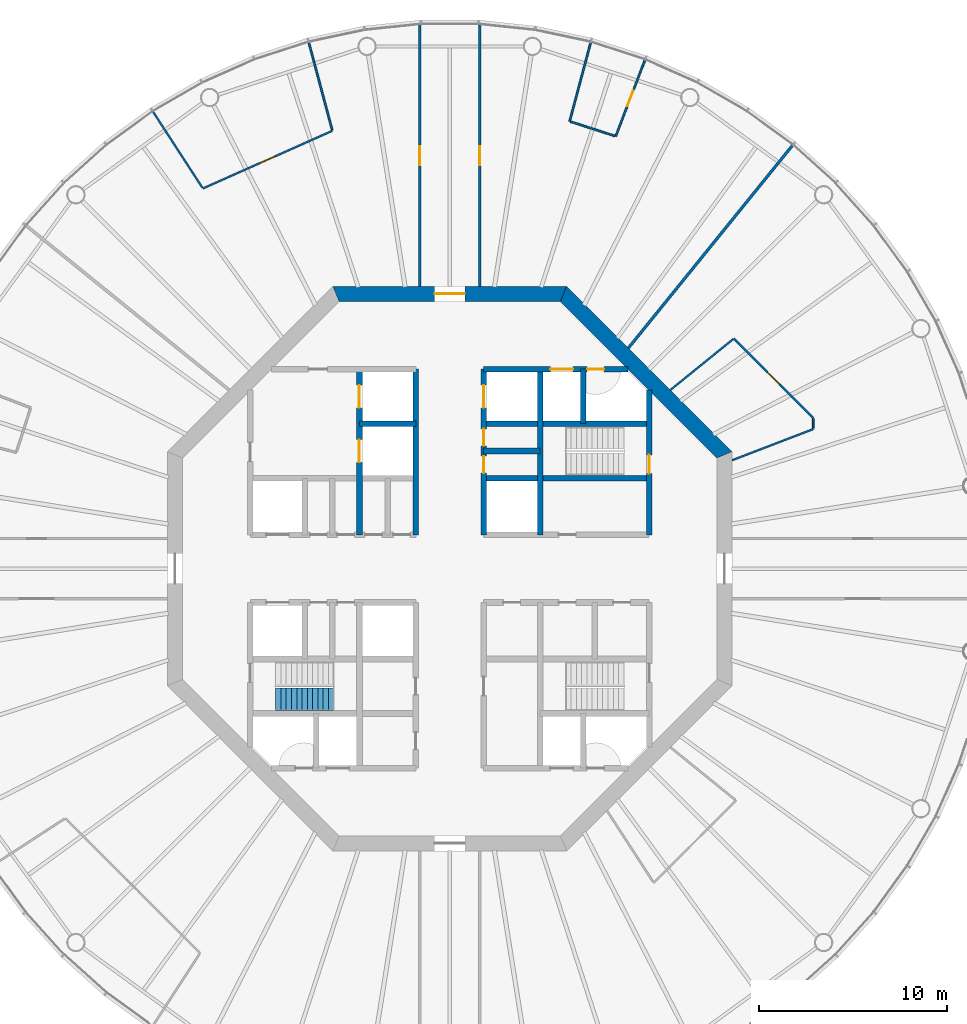
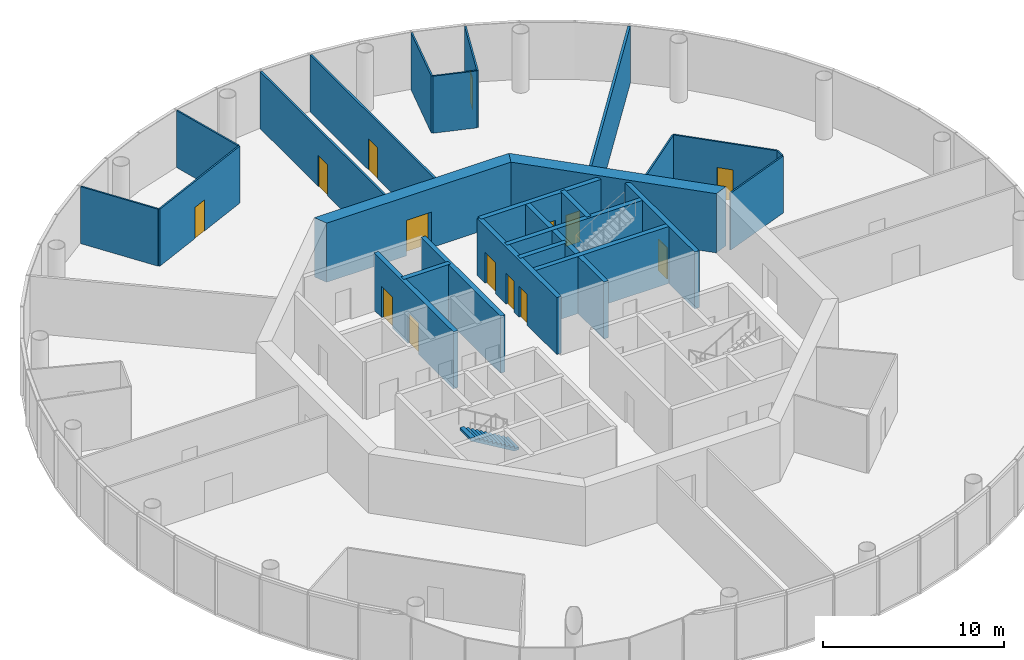
# One storey, part 5 of 13: 26 walls, 14 doors, 1 stair flight, 14 openings, 1 element without a shape of its own.
"""IFC4 building model written with IfcOpenShell, lengths in metres."""

from ifc_helpers import new_model, si_unit, direction, frame, frame_2d, origin, place, context, subcontext, project, spatial, polyline, rectangle, outline, extrude, material, layer, layer_set, type_object, element, fill, aggregate, save


model = new_model("IFC4")

# Units and contexts
model_context = context("Model", 3, precision=1e-05, world=origin(), true_north=direction((0.0, 1.0)))
body_context = subcontext(model_context, "Body", "Model", "MODEL_VIEW")
ifc_project = project(units=[si_unit("LENGTHUNIT", "METRE"), si_unit("AREAUNIT", "SQUARE_METRE"), si_unit("VOLUMEUNIT", "CUBIC_METRE"), si_unit("PLANEANGLEUNIT", "RADIAN"), si_unit("MASSUNIT", "GRAM", prefix="KILO")], contexts=[model_context])

# Site, building, storey
site_placement = place(None, origin())
site = spatial("IfcSite", under=ifc_project, at=site_placement, CompositionType="ELEMENT")
building_placement = place(site_placement, origin())
building = spatial("IfcBuilding", under=site, at=building_placement, Name="Entoto Ring Tower", CompositionType="ELEMENT")
storey_placement = place(building_placement, frame((0.0, 0.0, 278.0)))
storey = spatial("IfcBuildingStorey", under=building, at=storey_placement, Name="L63", CompositionType="ELEMENT", Elevation=278.0)

# Wall, opening, door
ifc_material_1 = material(Name="Concrete C40/50", Category="concrete")
ifc_layer_1 = layer(ifc_material_1, 0.300048828125)
ifc_layer_set_1 = layer_set([ifc_layer_1], Name="Concrete C40/50")
wall_type_1 = type_object("IfcWallType", Name="Core enclosure wall 300 mm reinforced concrete", PredefinedType="SOLIDWALL", material=ifc_layer_set_1)
wall_1_placement = place(storey_placement, frame((100.60009765625, 81.800048828125, 0.0), z_axis=(0.0, 0.0, 1.0), x_axis=(0.0, 1.0, 0.0)))
wall_1 = element("IfcWall", 1, at=wall_1_placement, inside=storey, type_object=wall_type_1, Name="wall-L63-002", PredefinedType="SOLIDWALL", context=body_context, shape_type="SweptSolid", body=[
    extrude(rectangle(XDim=7.681640625, YDim=0.300048828125, at=frame_2d((3.8408203125, 0.0))), origin(), (0.0, 0.0, 1.0), 3.85009765625),
])
opening_1_placement = place(wall_1_placement, frame((3.25, 0.0, 0.0)))
opening_1 = element("IfcOpeningElement", 2, at=opening_1_placement, cuts=wall_1, Name="Opening K-26", PredefinedType="OPENING", context=body_context, shape_type="SweptSolid", body=[
    extrude(rectangle(XDim=1.0, YDim=2.10009765625, at=frame_2d((0.5, 1.050048828125))), frame((0.0, 0.16015625, 0.0), z_axis=(0.0, -1.0, 0.0), x_axis=(1.0, 0.0, 0.0)), (0.0, 0.0, 1.0), 0.320068359375),
])
ifc_material_2 = material(Name="Steel door leaf, fire rated", Category="steel")
ifc_layer_2 = layer(ifc_material_2, 0.050048828125)
ifc_layer_set_2 = layer_set([ifc_layer_2], Name="Steel door leaf, fire rated")
door_type_1 = type_object("IfcDoorType", Name="Fire door FD60 1000 x 2100 single leaf", OperationType="NOTDEFINED", PredefinedType="DOOR", material=ifc_layer_set_2)
door_1_placement = place(opening_1_placement, origin())
door_1 = element("IfcDoor", 3, at=door_1_placement, inside=storey, type_object=door_type_1, Name="Door K-26", OperationType="SINGLE_SWING_LEFT", OverallHeight=2.10009765625, OverallWidth=1.0, PredefinedType="DOOR", context=body_context, shape_type="SweptSolid", body=[
    extrude(rectangle(XDim=1.0, YDim=2.10009765625, at=frame_2d((0.5, 1.050048828125))), frame((0.0, 0.02490234375, 0.0), z_axis=(0.0, -1.0, 0.0), x_axis=(1.0, 0.0, 0.0)), (0.0, 0.0, 1.0), 0.050048828125),
])
fill(opening_1, door_1)

# Walls
wall_2_placement = place(storey_placement, frame((97.10009765625, 87.699951171875, 0.0), z_axis=(0.0, 0.0, 1.0), x_axis=(0.0, 1.0, 0.0)))
element("IfcWall", 4, at=wall_2_placement, inside=storey, type_object=wall_type_1, Name="wall-L63-005", PredefinedType="SOLIDWALL", context=body_context, shape_type="SweptSolid", body=[
    extrude(rectangle(XDim=2.900146484375, YDim=0.300048828125, at=frame_2d((1.4501953125, 0.0))), origin(), (0.0, 0.0, 1.0), 3.85009765625),
])
wall_3_placement = place(storey_placement, frame((94.800048828125, 81.800048828125, 0.0), z_axis=(0.0, 0.0, 1.0), x_axis=(0.0, 1.0, 0.0)))
element("IfcWall", 5, at=wall_3_placement, inside=storey, type_object=wall_type_1, Name="wall-L63-007", PredefinedType="SOLIDWALL", context=body_context, shape_type="SweptSolid", body=[
    extrude(rectangle(XDim=8.800048828125, YDim=0.300048828125, at=frame_2d((4.39990234375, 0.0))), origin(), (0.0, 0.0, 1.0), 3.85009765625),
])

# Wall, openings, doors
wall_4_placement = place(storey_placement, frame((91.800048828125, 81.800048828125, 0.0), z_axis=(0.0, 0.0, 1.0), x_axis=(0.0, 1.0, 0.0)))
wall_4 = element("IfcWall", 6, at=wall_4_placement, inside=storey, type_object=wall_type_1, Name="wall-L63-009", PredefinedType="SOLIDWALL", context=body_context, shape_type="SweptSolid", body=[
    extrude(rectangle(XDim=8.800048828125, YDim=0.300048828125, at=frame_2d((4.39990234375, 0.0))), origin(), (0.0, 0.0, 1.0), 3.85009765625),
])
opening_2_placement = place(wall_4_placement, frame((6.75, 0.0, 0.0)))
opening_2 = element("IfcOpeningElement", 7, at=opening_2_placement, cuts=wall_4, Name="Opening LD", PredefinedType="OPENING", context=body_context, shape_type="SweptSolid", body=[
    extrude(rectangle(XDim=1.199951171875, YDim=2.10009765625, at=frame_2d((0.60009765625, 1.050048828125))), frame((0.0, 0.16015625, 0.0), z_axis=(0.0, -1.0, 0.0), x_axis=(1.0, 0.0, 0.0)), (0.0, 0.0, 1.0), 0.320068359375),
])
opening_3_placement = place(wall_4_placement, frame((3.27490234375, 0.0, 0.0)))
opening_3 = element("IfcOpeningElement", 8, at=opening_3_placement, cuts=wall_4, Name="Opening K-18", PredefinedType="OPENING", context=body_context, shape_type="SweptSolid", body=[
    extrude(rectangle(XDim=0.89990234375, YDim=2.10009765625, at=frame_2d((0.449951171875, 1.050048828125))), frame((0.0, 0.16015625, 0.0), z_axis=(0.0, -1.0, 0.0), x_axis=(1.0, 0.0, 0.0)), (0.0, 0.0, 1.0), 0.320068359375),
])
opening_4_placement = place(wall_4_placement, frame((4.72509765625, 0.0, 0.0)))
opening_4 = element("IfcOpeningElement", 9, at=opening_4_placement, cuts=wall_4, Name="Opening K-19", PredefinedType="OPENING", context=body_context, shape_type="SweptSolid", body=[
    extrude(rectangle(XDim=0.89990234375, YDim=2.10009765625, at=frame_2d((0.449951171875, 1.050048828125))), frame((0.0, 0.16015625, 0.0), z_axis=(0.0, -1.0, 0.0), x_axis=(1.0, 0.0, 0.0)), (0.0, 0.0, 1.0), 0.320068359375),
])
ifc_material_3 = material(Name="Steel door leaf, fire rated", Category="steel")
ifc_layer_3 = layer(ifc_material_3, 0.050048828125)
ifc_layer_set_3 = layer_set([ifc_layer_3], Name="Steel door leaf, fire rated")
door_type_2 = type_object("IfcDoorType", Name="Core door 900 x 2100 single leaf", OperationType="NOTDEFINED", PredefinedType="DOOR", material=ifc_layer_set_3)
door_2_placement = place(opening_3_placement, frame((0.89990234375, 0.0, 0.0), z_axis=(0.0, 0.0, 1.0), x_axis=(-1.0, 0.0, 0.0)))
door_2 = element("IfcDoor", 10, at=door_2_placement, inside=storey, type_object=door_type_2, Name="Door K-18", OperationType="SINGLE_SWING_LEFT", OverallHeight=2.10009765625, OverallWidth=0.89990234375, PredefinedType="DOOR", context=body_context, shape_type="SweptSolid", body=[
    extrude(rectangle(XDim=0.89990234375, YDim=2.10009765625, at=frame_2d((0.449951171875, 1.050048828125))), frame((0.0, 0.02490234375, 0.0), z_axis=(0.0, -1.0, 0.0), x_axis=(1.0, 0.0, 0.0)), (0.0, 0.0, 1.0), 0.050048828125),
])
fill(opening_3, door_2)
door_3_placement = place(opening_4_placement, frame((0.89990234375, 0.0, 0.0), z_axis=(0.0, 0.0, 1.0), x_axis=(-1.0, 0.0, 0.0)))
door_3 = element("IfcDoor", 11, at=door_3_placement, inside=storey, type_object=door_type_2, Name="Door K-19", OperationType="SINGLE_SWING_RIGHT", OverallHeight=2.10009765625, OverallWidth=0.89990234375, PredefinedType="DOOR", context=body_context, shape_type="SweptSolid", body=[
    extrude(rectangle(XDim=0.89990234375, YDim=2.10009765625, at=frame_2d((0.449951171875, 1.050048828125))), frame((0.0, 0.02490234375, 0.0), z_axis=(0.0, -1.0, 0.0), x_axis=(1.0, 0.0, 0.0)), (0.0, 0.0, 1.0), 0.050048828125),
])
fill(opening_4, door_3)
ifc_material_4 = material(Name="Steel and glass door leaf", Category="steel")
ifc_layer_4 = layer(ifc_material_4, 0.050048828125)
ifc_layer_set_4 = layer_set([ifc_layer_4], Name="Steel and glass door leaf")
door_type_3 = type_object("IfcDoorType", Name="Landing door 1200 x 2100 sliding", OperationType="DOUBLE_DOOR_SLIDING", PredefinedType="DOOR", material=ifc_layer_set_4)
door_4_placement = place(opening_2_placement, origin())
door_4 = element("IfcDoor", 12, at=door_4_placement, inside=storey, type_object=door_type_3, Name="Landing door SH3", OperationType="SLIDING_TO_RIGHT", OverallHeight=2.10009765625, OverallWidth=1.199951171875, PredefinedType="DOOR", context=body_context, shape_type="SweptSolid", body=[
    extrude(rectangle(XDim=1.199951171875, YDim=2.10009765625, at=frame_2d((0.60009765625, 1.050048828125))), frame((0.0, 0.02490234375, 0.0), z_axis=(0.0, -1.0, 0.0), x_axis=(1.0, 0.0, 0.0)), (0.0, 0.0, 1.0), 0.050048828125),
])
fill(opening_2, door_4)

# Wall
wall_5_placement = place(storey_placement, frame((88.199951171875, 81.800048828125, 0.0), z_axis=(0.0, 0.0, 1.0), x_axis=(0.0, 1.0, 0.0)))
element("IfcWall", 13, at=wall_5_placement, inside=storey, type_object=wall_type_1, Name="wall-L63-011", PredefinedType="SOLIDWALL", context=body_context, shape_type="SweptSolid", body=[
    extrude(rectangle(XDim=8.800048828125, YDim=0.300048828125, at=frame_2d((4.39990234375, 0.0))), origin(), (0.0, 0.0, 1.0), 3.85009765625),
])

# Wall, openings, doors
wall_6_placement = place(storey_placement, frame((85.199951171875, 81.800048828125, 0.0), z_axis=(0.0, 0.0, 1.0), x_axis=(0.0, 1.0, 0.0)))
wall_6 = element("IfcWall", 14, at=wall_6_placement, inside=storey, type_object=wall_type_1, Name="wall-L63-014", PredefinedType="SOLIDWALL", context=body_context, shape_type="SweptSolid", body=[
    extrude(rectangle(XDim=8.800048828125, YDim=0.300048828125, at=frame_2d((4.39990234375, 0.0))), origin(), (0.0, 0.0, 1.0), 3.85009765625),
])
opening_5_placement = place(wall_6_placement, frame((3.85009765625, 0.0, 0.0)))
opening_5 = element("IfcOpeningElement", 15, at=opening_5_placement, cuts=wall_6, Name="Opening LD", PredefinedType="OPENING", context=body_context, shape_type="SweptSolid", body=[
    extrude(rectangle(XDim=1.199951171875, YDim=2.10009765625, at=frame_2d((0.60009765625, 1.050048828125))), frame((0.0, 0.16015625, 0.0), z_axis=(0.0, -1.0, 0.0), x_axis=(1.0, 0.0, 0.0)), (0.0, 0.0, 1.0), 0.320068359375),
])
opening_6_placement = place(wall_6_placement, frame((6.75, 0.0, 0.0)))
opening_6 = element("IfcOpeningElement", 16, at=opening_6_placement, cuts=wall_6, Name="Opening LD", PredefinedType="OPENING", context=body_context, shape_type="SweptSolid", body=[
    extrude(rectangle(XDim=1.199951171875, YDim=2.10009765625, at=frame_2d((0.60009765625, 1.050048828125))), frame((0.0, 0.16015625, 0.0), z_axis=(0.0, -1.0, 0.0), x_axis=(1.0, 0.0, 0.0)), (0.0, 0.0, 1.0), 0.320068359375),
])
door_5_placement = place(opening_5_placement, origin())
door_5 = element("IfcDoor", 17, at=door_5_placement, inside=storey, type_object=door_type_3, Name="Landing door FF1", OperationType="SLIDING_TO_RIGHT", OverallHeight=2.10009765625, OverallWidth=1.199951171875, PredefinedType="DOOR", context=body_context, shape_type="SweptSolid", body=[
    extrude(rectangle(XDim=1.199951171875, YDim=2.10009765625, at=frame_2d((0.60009765625, 1.050048828125))), frame((0.0, 0.02490234375, 0.0), z_axis=(0.0, -1.0, 0.0), x_axis=(1.0, 0.0, 0.0)), (0.0, 0.0, 1.0), 0.050048828125),
])
fill(opening_5, door_5)
door_6_placement = place(opening_6_placement, origin())
door_6 = element("IfcDoor", 18, at=door_6_placement, inside=storey, type_object=door_type_3, Name="Landing door FF2", OperationType="SLIDING_TO_RIGHT", OverallHeight=2.10009765625, OverallWidth=1.199951171875, PredefinedType="DOOR", context=body_context, shape_type="SweptSolid", body=[
    extrude(rectangle(XDim=1.199951171875, YDim=2.10009765625, at=frame_2d((0.60009765625, 1.050048828125))), frame((0.0, 0.02490234375, 0.0), z_axis=(0.0, -1.0, 0.0), x_axis=(1.0, 0.0, 0.0)), (0.0, 0.0, 1.0), 0.050048828125),
])
fill(opening_6, door_6)

# Walls
wall_7_placement = place(storey_placement, frame((91.800048828125, 84.800048828125, 0.0), z_axis=(0.0, 0.0, 1.0), x_axis=(1.0, 0.0, 0.0)))
element("IfcWall", 19, at=wall_7_placement, inside=storey, type_object=wall_type_1, Name="wall-L63-033", PredefinedType="SOLIDWALL", context=body_context, shape_type="SweptSolid", body=[
    extrude(rectangle(XDim=8.800048828125, YDim=0.300048828125, at=frame_2d((4.39990234375, 0.0))), origin(), (0.0, 0.0, 1.0), 3.85009765625),
])
for number, where, z_axis, x_axis, name in (
    (20, (91.800048828125, 86.25, 0.0), (0.0, 0.0, 1.0), (1.0, 0.0, 0.0), "wall-L63-034"),
    (21, (85.199951171875, 87.699951171875, 0.0), (0.0, 0.0, 1.0), (1.0, 0.0, 0.0), "wall-L63-035"),
):
    element("IfcWall", number, at=place(storey_placement, frame(where, z_axis=z_axis, x_axis=x_axis)), inside=storey, type_object=wall_type_1, Name=name, PredefinedType="SOLIDWALL", context=body_context, shape_type="SweptSolid", body=[
        extrude(rectangle(XDim=3.0, YDim=0.300048828125, at=frame_2d((1.5, 0.0))), origin(), (0.0, 0.0, 1.0), 3.85009765625),
    ])
wall_8_placement = place(storey_placement, frame((91.800048828125, 87.699951171875, 0.0), z_axis=(0.0, 0.0, 1.0), x_axis=(1.0, 0.0, 0.0)))
element("IfcWall", 22, at=wall_8_placement, inside=storey, type_object=wall_type_1, Name="wall-L63-036", PredefinedType="SOLIDWALL", context=body_context, shape_type="SweptSolid", body=[
    extrude(rectangle(XDim=8.800048828125, YDim=0.300048828125, at=frame_2d((4.39990234375, 0.0))), origin(), (0.0, 0.0, 1.0), 3.85009765625),
])

# Wall, openings, doors
wall_9_placement = place(storey_placement, frame((91.800048828125, 90.60009765625, 0.0), z_axis=(0.0, 0.0, 1.0), x_axis=(1.0, 0.0, 0.0)))
wall_9 = element("IfcWall", 23, at=wall_9_placement, inside=storey, type_object=wall_type_1, Name="wall-L63-038", PredefinedType="SOLIDWALL", context=body_context, shape_type="SweptSolid", body=[
    extrude(rectangle(XDim=7.681640625, YDim=0.300048828125, at=frame_2d((3.8408203125, 0.0))), origin(), (0.0, 0.0, 1.0), 3.85009765625),
])
opening_7_placement = place(wall_9_placement, frame((3.550048828125, 0.0, 0.0)))
opening_7 = element("IfcOpeningElement", 24, at=opening_7_placement, cuts=wall_9, Name="Opening LD", PredefinedType="OPENING", context=body_context, shape_type="SweptSolid", body=[
    extrude(rectangle(XDim=1.199951171875, YDim=2.10009765625, at=frame_2d((0.60009765625, 1.050048828125))), frame((0.0, 0.16015625, 0.0), z_axis=(0.0, -1.0, 0.0), x_axis=(1.0, 0.0, 0.0)), (0.0, 0.0, 1.0), 0.320068359375),
])
opening_8_placement = place(wall_9_placement, frame((5.5, 0.0, 0.0)))
opening_8 = element("IfcOpeningElement", 25, at=opening_8_placement, cuts=wall_9, Name="Opening K-83", PredefinedType="OPENING", context=body_context, shape_type="SweptSolid", body=[
    extrude(rectangle(XDim=0.89990234375, YDim=2.10009765625, at=frame_2d((0.449951171875, 1.050048828125))), frame((0.0, 0.16015625, 0.0), z_axis=(0.0, -1.0, 0.0), x_axis=(1.0, 0.0, 0.0)), (0.0, 0.0, 1.0), 0.320068359375),
])
door_7_placement = place(opening_7_placement, origin())
door_7 = element("IfcDoor", 26, at=door_7_placement, inside=storey, type_object=door_type_3, Name="Landing door LB1-HR", OperationType="SLIDING_TO_RIGHT", OverallHeight=2.10009765625, OverallWidth=1.199951171875, PredefinedType="DOOR", context=body_context, shape_type="SweptSolid", body=[
    extrude(rectangle(XDim=1.199951171875, YDim=2.10009765625, at=frame_2d((0.60009765625, 1.050048828125))), frame((0.0, 0.02490234375, 0.0), z_axis=(0.0, -1.0, 0.0), x_axis=(1.0, 0.0, 0.0)), (0.0, 0.0, 1.0), 0.050048828125),
])
fill(opening_7, door_7)
ifc_material_5 = material(Name="Steel door leaf, fire rated", Category="steel")
ifc_layer_5 = layer(ifc_material_5, 0.050048828125)
ifc_layer_set_5 = layer_set([ifc_layer_5], Name="Steel door leaf, fire rated")
door_type_4 = type_object("IfcDoorType", Name="Riser door FD60 900 x 2100 single leaf", OperationType="NOTDEFINED", PredefinedType="DOOR", material=ifc_layer_set_5)
door_8_placement = place(opening_8_placement, frame((0.89990234375, 0.0, 0.0), z_axis=(0.0, 0.0, 1.0), x_axis=(-1.0, 0.0, 0.0)))
door_8 = element("IfcDoor", 27, at=door_8_placement, inside=storey, type_object=door_type_4, Name="Door K-83", OperationType="SINGLE_SWING_RIGHT", OverallHeight=2.10009765625, OverallWidth=0.89990234375, PredefinedType="DOOR", context=body_context, shape_type="SweptSolid", body=[
    extrude(rectangle(XDim=0.89990234375, YDim=2.10009765625, at=frame_2d((0.449951171875, 1.050048828125))), frame((0.0, 0.02490234375, 0.0), z_axis=(0.0, -1.0, 0.0), x_axis=(1.0, 0.0, 0.0)), (0.0, 0.0, 1.0), 0.050048828125),
])
fill(opening_8, door_8)

# Wall
ifc_material_6 = material(Name="Concrete C40/50", Category="concrete")
ifc_layer_6 = layer(ifc_material_6, 0.800048828125)
ifc_layer_set_6 = layer_set([ifc_layer_6], Name="Concrete C40/50")
wall_type_2 = type_object("IfcWallType", Name="Core shear wall 800 mm reinforced concrete C40/50", PredefinedType="SHEAR", material=ifc_layer_set_6)
wall_10_placement = place(storey_placement, frame((104.60009765625, 86.047607421875, 0.0), z_axis=(0.0, 0.0, 1.0), x_axis=(-0.707106781187, 0.707106781187, 0.0)))
element("IfcWall", 28, at=wall_10_placement, inside=storey, type_object=wall_type_2, Name="wall-L63-core-1", PredefinedType="SHEAR", context=body_context, shape_type="SweptSolid", body=[
    extrude(outline(polyline([(-0.165771484375, -0.39990234375), (12.2607421875, -0.39990234375), (11.92919921875, 0.39990234375), (0.165771484375, 0.39990234375), (-0.165771484375, -0.39990234375)])), origin(), (0.0, 0.0, 1.0), 4.0),
])

# Wall, opening, door
wall_11_placement = place(storey_placement, frame((96.047607421875, 94.60009765625, 0.0), z_axis=(0.0, 0.0, 1.0), x_axis=(-1.0, 0.0, 0.0)))
wall_11 = element("IfcWall", 29, at=wall_11_placement, inside=storey, type_object=wall_type_2, Name="wall-L63-core-2", PredefinedType="SHEAR", context=body_context, shape_type="SweptSolid", body=[
    extrude(outline(polyline([(-0.165771484375, -0.39990234375), (12.260986328125, -0.39990234375), (11.929443359375, 0.39990234375), (0.165771484375, 0.39990234375), (-0.165771484375, -0.39990234375)])), origin(), (0.0, 0.0, 1.0), 4.0),
])
opening_9_placement = place(wall_11_placement, frame((5.24755859375, 0.0, 0.0)))
opening_9 = element("IfcOpeningElement", 30, at=opening_9_placement, cuts=wall_11, Name="Opening K-02", PredefinedType="OPENING", context=body_context, shape_type="SweptSolid", body=[
    extrude(rectangle(XDim=1.60009765625, YDim=2.39990234375, at=frame_2d((0.800048828125, 1.199951171875))), frame((0.0, 0.41015625, 0.0), z_axis=(0.0, -1.0, 0.0), x_axis=(1.0, 0.0, 0.0)), (0.0, 0.0, 1.0), 0.820068359375),
])
ifc_material_7 = material(Name="Steel door leaf, fire rated", Category="steel")
ifc_layer_7 = layer(ifc_material_7, 0.050048828125)
ifc_layer_set_7 = layer_set([ifc_layer_7], Name="Steel door leaf, fire rated")
door_type_5 = type_object("IfcDoorType", Name="Entrance door FD60 1600 x 2400 double leaf", OperationType="DOUBLE_DOOR_SINGLE_SWING", PredefinedType="DOOR", material=ifc_layer_set_7)
door_9_placement = place(opening_9_placement, origin())
door_9 = element("IfcDoor", 31, at=door_9_placement, inside=storey, type_object=door_type_5, Name="Entrance door K-02", OperationType="DOUBLE_DOOR_SINGLE_SWING", OverallHeight=2.39990234375, OverallWidth=1.60009765625, PredefinedType="DOOR", context=body_context, shape_type="SweptSolid", body=[
    extrude(rectangle(XDim=1.60009765625, YDim=2.39990234375, at=frame_2d((0.800048828125, 1.199951171875))), frame((0.0, 0.02490234375, 0.0), z_axis=(0.0, -1.0, 0.0), x_axis=(1.0, 0.0, 0.0)), (0.0, 0.0, 1.0), 0.050048828125),
])
fill(opening_9, door_9)

ifc_material_8 = material(Name="Fire-resisting plasterboard on steel studs", Category="steel")
ifc_layer_8 = layer(ifc_material_8, 0.125)
ifc_layer_set_8 = layer_set([ifc_layer_8], Name="Fire-resisting plasterboard on steel studs")
wall_type_3 = type_object("IfcWallType", Name="Corridor wall 125 mm one-hour plasterboard on steel studs", PredefinedType="PARTITIONING", material=ifc_layer_set_8)
wall_12_placement = place(storey_placement, frame((88.39990234375, 95.0, 0.0), z_axis=(0.0, 0.0, 1.0), x_axis=(0.0, 1.0, 0.0)))
wall_12 = element("IfcWall", 32, at=wall_12_placement, inside=storey, type_object=wall_type_3, Name="partition-L63-004", PredefinedType="PARTITIONING", context=body_context, shape_type="SweptSolid", body=[
    extrude(rectangle(XDim=13.891357421875, YDim=0.125, at=frame_2d((6.94580078125, 0.0))), origin(), (0.0, 0.0, 1.0), 3.85009765625),
])
opening_10_placement = place(wall_12_placement, frame((6.44580078125, 0.0, 0.0)))
opening_10 = element("IfcOpeningElement", 33, at=opening_10_placement, cuts=wall_12, Name="Opening A28-D05", PredefinedType="OPENING", context=body_context, shape_type="SweptSolid", body=[
    extrude(rectangle(XDim=1.0, YDim=2.10009765625, at=frame_2d((0.5, 1.050048828125))), frame((0.0, 0.072509765625, 0.0), z_axis=(0.0, -1.0, 0.0), x_axis=(1.0, 0.0, 0.0)), (0.0, 0.0, 1.0), 0.14501953125),
])
ifc_material_9 = material(Name="Fire-resisting timber door set", Category="wood")
door_type_6 = type_object("IfcDoorType", Name="Door 1000 x 2100 single leaf FD30S fire door", OperationType="NOTDEFINED", PredefinedType="DOOR", material=ifc_material_9)
door_10_placement = place(opening_10_placement, origin())
door_10 = element("IfcDoor", 34, at=door_10_placement, inside=storey, type_object=door_type_6, Name="Door A28-D05", OperationType="SINGLE_SWING_RIGHT", OverallHeight=2.10009765625, OverallWidth=1.0, PredefinedType="DOOR", context=body_context, shape_type="SweptSolid", body=[
    extrude(rectangle(XDim=1.0, YDim=2.10009765625, at=frame_2d((0.5, 1.050048828125))), frame((0.0, 0.02490234375, 0.0), z_axis=(0.0, -1.0, 0.0), x_axis=(1.0, 0.0, 0.0)), (0.0, 0.0, 1.0), 0.050048828125),
])
fill(opening_10, door_10)

wall_13_placement = place(storey_placement, frame((91.60009765625, 95.0, 0.0), z_axis=(0.0, 0.0, 1.0), x_axis=(0.0, 1.0, 0.0)))
wall_13 = element("IfcWall", 35, at=wall_13_placement, inside=storey, type_object=wall_type_3, Name="partition-L63-006", PredefinedType="PARTITIONING", context=body_context, shape_type="SweptSolid", body=[
    extrude(rectangle(XDim=13.891357421875, YDim=0.125, at=frame_2d((6.94580078125, 0.0))), origin(), (0.0, 0.0, 1.0), 3.85009765625),
])
opening_11_placement = place(wall_13_placement, frame((6.44580078125, 0.0, 0.0)))
opening_11 = element("IfcOpeningElement", 36, at=opening_11_placement, cuts=wall_13, Name="Opening A28-D03", PredefinedType="OPENING", context=body_context, shape_type="SweptSolid", body=[
    extrude(rectangle(XDim=1.0, YDim=2.10009765625, at=frame_2d((0.5, 1.050048828125))), frame((0.0, 0.072509765625, 0.0), z_axis=(0.0, -1.0, 0.0), x_axis=(1.0, 0.0, 0.0)), (0.0, 0.0, 1.0), 0.14501953125),
])
door_11_placement = place(opening_11_placement, frame((1.0, 0.0, 0.0), z_axis=(0.0, 0.0, 1.0), x_axis=(-1.0, 0.0, 0.0)))
door_11 = element("IfcDoor", 37, at=door_11_placement, inside=storey, type_object=door_type_6, Name="Door A28-D03", OperationType="SINGLE_SWING_LEFT", OverallHeight=2.10009765625, OverallWidth=1.0, PredefinedType="DOOR", context=body_context, shape_type="SweptSolid", body=[
    extrude(rectangle(XDim=1.0, YDim=2.10009765625, at=frame_2d((0.5, 1.050048828125))), frame((0.0, 0.02490234375, 0.0), z_axis=(0.0, -1.0, 0.0), x_axis=(1.0, 0.0, 0.0)), (0.0, 0.0, 1.0), 0.050048828125),
])
fill(opening_11, door_11)

ifc_material_10 = material(Name="Plasterboard on steel studs", Category="steel")
ifc_layer_9 = layer(ifc_material_10, 0.10009765625)
ifc_layer_set_9 = layer_set([ifc_layer_9], Name="Plasterboard on steel studs")
wall_type_4 = type_object("IfcWallType", Name="Partition 100 mm plasterboard on steel studs", PredefinedType="PARTITIONING", material=ifc_layer_set_9)
wall_14_placement = place(storey_placement, frame((76.879638671875, 100.20361328125, 0.0), z_axis=(0.0, 0.0, 1.0), x_axis=(0.913537506141, 0.406754501972, 0.0)))
wall_14 = element("IfcWall", 38, at=wall_14_placement, inside=storey, type_object=wall_type_4, Name="partition-L63-012", PredefinedType="PARTITIONING", context=body_context, shape_type="SweptSolid", body=[
    extrude(rectangle(XDim=7.536865234375, YDim=0.10009765625, at=frame_2d((3.7685546875, 0.0))), origin(), (0.0, 0.0, 1.0), 3.85009765625),
])
opening_12_placement = place(wall_14_placement, frame((3.318603515625, 0.0, 0.0)))
opening_12 = element("IfcOpeningElement", 39, at=opening_12_placement, cuts=wall_14, Name="Opening A28-D06", PredefinedType="OPENING", context=body_context, shape_type="SweptSolid", body=[
    extrude(rectangle(XDim=0.89990234375, YDim=2.10009765625, at=frame_2d((0.449951171875, 1.050048828125))), frame((0.0, 0.06005859375, 0.0), z_axis=(0.0, -1.0, 0.0), x_axis=(1.0, 0.0, 0.0)), (0.0, 0.0, 1.0), 0.1201171875),
])
ifc_material_11 = material(Name="Veneered timber door leaf in timber frame", Category="wood")
door_type_7 = type_object("IfcDoorType", Name="Door 900 x 2100 single leaf timber veneer", OperationType="NOTDEFINED", PredefinedType="DOOR", material=ifc_material_11)
door_12_placement = place(opening_12_placement, origin())
door_12 = element("IfcDoor", 40, at=door_12_placement, inside=storey, type_object=door_type_7, Name="Door A28-D06", OperationType="SINGLE_SWING_LEFT", OverallHeight=2.10009765625, OverallWidth=0.89990234375, PredefinedType="DOOR", context=body_context, shape_type="SweptSolid", body=[
    extrude(rectangle(XDim=0.89990234375, YDim=2.10009765625, at=frame_2d((0.449951171875, 1.050048828125))), frame((0.0, 0.02490234375, 0.0), z_axis=(0.0, -1.0, 0.0), x_axis=(1.0, 0.0, 0.0)), (0.0, 0.0, 1.0), 0.050048828125),
])
fill(opening_12, door_12)

wall_15_placement = place(storey_placement, frame((109.320068359375, 88.002685546875, 0.0), z_axis=(0.0, 0.0, 1.0), x_axis=(-0.707127221639, 0.707086340144, 0.0)))
wall_15 = element("IfcWall", 41, at=wall_15_placement, inside=storey, type_object=wall_type_4, Name="partition-L63-014", PredefinedType="PARTITIONING", context=body_context, shape_type="SweptSolid", body=[
    extrude(rectangle(XDim=5.971923828125, YDim=0.10009765625, at=frame_2d((2.98583984375, 0.0))), origin(), (0.0, 0.0, 1.0), 3.85009765625),
])
opening_13_placement = place(wall_15_placement, frame((2.535888671875, 0.0, 0.0)))
opening_13 = element("IfcOpeningElement", 42, at=opening_13_placement, cuts=wall_15, Name="Opening A28-D02", PredefinedType="OPENING", context=body_context, shape_type="SweptSolid", body=[
    extrude(rectangle(XDim=0.89990234375, YDim=2.10009765625, at=frame_2d((0.449951171875, 1.050048828125))), frame((0.0, 0.06005859375, 0.0), z_axis=(0.0, -1.0, 0.0), x_axis=(1.0, 0.0, 0.0)), (0.0, 0.0, 1.0), 0.1201171875),
])
door_13_placement = place(opening_13_placement, origin())
door_13 = element("IfcDoor", 43, at=door_13_placement, inside=storey, type_object=door_type_7, Name="Door A28-D02", OperationType="SINGLE_SWING_RIGHT", OverallHeight=2.10009765625, OverallWidth=0.89990234375, PredefinedType="DOOR", context=body_context, shape_type="SweptSolid", body=[
    extrude(rectangle(XDim=0.89990234375, YDim=2.10009765625, at=frame_2d((0.449951171875, 1.050048828125))), frame((0.0, 0.02490234375, 0.0), z_axis=(0.0, -1.0, 0.0), x_axis=(1.0, 0.0, 0.0)), (0.0, 0.0, 1.0), 0.050048828125),
])
fill(opening_13, door_13)

# Walls
wall_16_placement = place(storey_placement, frame((76.852783203125, 100.244873046875, 0.0), z_axis=(0.0, 0.0, 1.0), x_axis=(-0.54466119011, 0.838656179842, 0.0)))
element("IfcWall", 44, at=wall_16_placement, inside=storey, type_object=wall_type_4, Name="partition-L63-017", PredefinedType="PARTITIONING", context=body_context, shape_type="SweptSolid", body=[
    extrude(rectangle(XDim=4.80078125, YDim=0.10009765625, at=frame_2d((2.400390625, 0.0))), origin(), (0.0, 0.0, 1.0), 3.85009765625),
])
wall_17_placement = place(storey_placement, frame((83.752197265625, 103.31689453125, 0.0), z_axis=(0.0, 0.0, 1.0), x_axis=(-0.25881149994, 0.965927847978, 0.0)))
element("IfcWall", 45, at=wall_17_placement, inside=storey, type_object=wall_type_4, Name="partition-L63-018", PredefinedType="PARTITIONING", context=body_context, shape_type="SweptSolid", body=[
    extrude(rectangle(XDim=4.800537109375, YDim=0.10009765625, at=frame_2d((2.400390625, 0.0))), origin(), (0.0, 0.0, 1.0), 3.85009765625),
])
wall_18_placement = place(storey_placement, frame((105.0, 85.758056640625, 0.0), z_axis=(0.0, 0.0, 1.0), x_axis=(0.933588794902, 0.358346148345, 0.0)))
element("IfcWall", 46, at=wall_18_placement, inside=storey, type_object=wall_type_4, Name="partition-L63-019", PredefinedType="PARTITIONING", context=body_context, shape_type="SweptSolid", body=[
    extrude(rectangle(XDim=4.62744140625, YDim=0.10009765625, at=frame_2d((2.313720703125, 0.0))), origin(), (0.0, 0.0, 1.0), 3.85009765625),
])
wall_19_placement = place(storey_placement, frame((101.721435546875, 89.49169921875, 0.0), z_axis=(0.0, 0.0, 1.0), x_axis=(0.777144236082, 0.629322521705, 0.0)))
element("IfcWall", 47, at=wall_19_placement, inside=storey, type_object=wall_type_4, Name="partition-L63-024", PredefinedType="PARTITIONING", context=body_context, shape_type="SweptSolid", body=[
    extrude(rectangle(XDim=4.294189453125, YDim=0.10009765625, at=frame_2d((2.14697265625, 0.0))), origin(), (0.0, 0.0, 1.0), 3.85009765625),
])

# Wall, opening, door
wall_20_placement = place(storey_placement, frame((98.8193359375, 102.975341796875, 0.0), z_axis=(0.0, 0.0, 1.0), x_axis=(0.358366932706, 0.933580816825, 0.0)))
wall_20 = element("IfcWall", 48, at=wall_20_placement, inside=storey, type_object=wall_type_4, Name="partition-L63-025", PredefinedType="PARTITIONING", context=body_context, shape_type="SweptSolid", body=[
    extrude(rectangle(XDim=4.330078125, YDim=0.10009765625, at=frame_2d((2.1650390625, 0.0))), origin(), (0.0, 0.0, 1.0), 3.85009765625),
])
opening_14_placement = place(wall_20_placement, frame((1.715087890625, 0.0, 0.0)))
opening_14 = element("IfcOpeningElement", 49, at=opening_14_placement, cuts=wall_20, Name="Opening A28-D04", PredefinedType="OPENING", context=body_context, shape_type="SweptSolid", body=[
    extrude(rectangle(XDim=0.89990234375, YDim=2.10009765625, at=frame_2d((0.449951171875, 1.050048828125))), frame((0.0, 0.06005859375, 0.0), z_axis=(0.0, -1.0, 0.0), x_axis=(1.0, 0.0, 0.0)), (0.0, 0.0, 1.0), 0.1201171875),
])
door_14_placement = place(opening_14_placement, origin())
door_14 = element("IfcDoor", 50, at=door_14_placement, inside=storey, type_object=door_type_7, Name="Door A28-D04", OperationType="SINGLE_SWING_RIGHT", OverallHeight=2.10009765625, OverallWidth=0.89990234375, PredefinedType="DOOR", context=body_context, shape_type="SweptSolid", body=[
    extrude(rectangle(XDim=0.89990234375, YDim=2.10009765625, at=frame_2d((0.449951171875, 1.050048828125))), frame((0.0, 0.02490234375, 0.0), z_axis=(0.0, -1.0, 0.0), x_axis=(1.0, 0.0, 0.0)), (0.0, 0.0, 1.0), 0.050048828125),
])
fill(opening_14, door_14)

# Walls
wall_21_placement = place(storey_placement, frame((96.369384765625, 103.771484375, 0.0), z_axis=(0.0, 0.0, 1.0), x_axis=(0.258859151662, 0.965915078876, 0.0)))
element("IfcWall", 51, at=wall_21_placement, inside=storey, type_object=wall_type_4, Name="partition-L63-026", PredefinedType="PARTITIONING", context=body_context, shape_type="SweptSolid", body=[
    extrude(rectangle(XDim=4.330078125, YDim=0.10009765625, at=frame_2d((2.1650390625, 0.0))), origin(), (0.0, 0.0, 1.0), 3.85009765625),
])
wall_22_placement = place(storey_placement, frame((98.77197265625, 102.99072265625, 0.0), z_axis=(0.0, 0.0, 1.0), x_axis=(-0.951032619636, 0.309090531055, 0.0)))
element("IfcWall", 52, at=wall_22_placement, inside=storey, type_object=wall_type_4, Name="partition-L63-027", PredefinedType="PARTITIONING", context=body_context, shape_type="SweptSolid", body=[
    extrude(rectangle(XDim=2.476318359375, YDim=0.10009765625, at=frame_2d((1.23828125, 0.0))), origin(), (0.0, 0.0, 1.0), 3.85009765625),
])
wall_23_placement = place(storey_placement, frame((109.320068359375, 87.462890625, 0.0), z_axis=(0.0, 0.0, 1.0), x_axis=(0.0, 1.0, 0.0)))
element("IfcWall", 53, at=wall_23_placement, inside=storey, type_object=wall_type_4, Name="partition-L63-029", PredefinedType="PARTITIONING", context=body_context, shape_type="SweptSolid", body=[
    extrude(rectangle(XDim=0.504638671875, YDim=0.10009765625, at=frame_2d((0.25244140625, 0.0))), origin(), (0.0, 0.0, 1.0), 3.85009765625),
])
ifc_material_12 = material(Name="Fire-resisting acoustic plasterboard on steel studs", Category="steel")
ifc_layer_10 = layer(ifc_material_12, 0.14990234375)
ifc_layer_set_10 = layer_set([ifc_layer_10], Name="Fire-resisting acoustic plasterboard on steel studs")
wall_type_5 = type_object("IfcWallType", Name="Party wall 150 mm one-hour acoustic plasterboard on steel studs", PredefinedType="PARTITIONING", material=ifc_layer_set_10)
wall_24_placement = place(storey_placement, frame((99.49169921875, 91.721435546875, 0.0), z_axis=(0.0, 0.0, 1.0), x_axis=(0.629324927109, 0.777142288207, 0.0)))
element("IfcWall", 54, at=wall_24_placement, inside=storey, type_object=wall_type_5, Name="partition-L63-010", PredefinedType="PARTITIONING", context=body_context, shape_type="SweptSolid", body=[
    extrude(rectangle(XDim=13.857177734375, YDim=0.14990234375, at=frame_2d((6.9287109375, 0.0))), origin(), (0.0, 0.0, 1.0), 3.85009765625),
])

# Stair, stair flight
ifc_material_13 = material(Name="Concrete C40/50", Category="concrete")
stair_type = type_object("IfcStairType", Name="Exit stair 1200 mm dog-leg reinforced concrete", PredefinedType="HALF_TURN_STAIR", material=ifc_material_13)
stair_placement = place(storey_placement, origin())
stair = element("IfcStair", 55, at=stair_placement, inside=storey, type_object=stair_type, Name="Exit stair 2", PredefinedType="HALF_TURN_STAIR")
ifc_material_14 = material(Name="Concrete C40/50", Category="concrete")
stair_flight_type = type_object("IfcStairFlightType", Name="Stair flight 1200 mm reinforced concrete", PredefinedType="STRAIGHT", material=ifc_material_14)
stair_flight_placement = place(storey_placement, frame((83.830078125, 73.050048828125, 2.0), z_axis=(0.0, 0.0, 1.0), x_axis=(-1.0, 0.0, 0.0)))
stair_flight = element("IfcStairFlight", 56, at=stair_flight_placement, type_object=stair_flight_type, Name="ST2 flight 2", NumberOfRisers=12, NumberOfTreads=11, PredefinedType="STRAIGHT", RiserHeight=0.166666667, TreadLength=0.28, context=body_context, shape_type="SweptSolid", body=[
    extrude(outline(polyline([(0.0, 0.0), (0.0, 0.166748046875), (0.280029296875, 0.166748046875), (0.280029296875, 0.333251953125), (0.56005859375, 0.333251953125), (0.56005859375, 0.5), (0.840087890625, 0.5), (0.840087890625, 0.666748046875), (1.1201171875, 0.666748046875), (1.1201171875, 0.833251953125), (1.39990234375, 0.833251953125), (1.39990234375, 1.0), (1.679931640625, 1.0), (1.679931640625, 1.166748046875), (1.9599609375, 1.166748046875), (1.9599609375, 1.333251953125), (2.239990234375, 1.333251953125), (2.239990234375, 1.5), (2.52001953125, 1.5), (2.52001953125, 1.666748046875), (2.800048828125, 1.666748046875), (2.800048828125, 1.833251953125), (3.080078125, 1.833251953125), (3.080078125, 2.0), (3.080078125, 1.658935546875), (0.29296875, 0.0), (0.0, 0.0)])), frame((0.0, 0.60009765625, 0.0), z_axis=(0.0, -1.0, 0.0), x_axis=(1.0, 0.0, 0.0)), (0.0, 0.0, 1.0), 1.199951171875),
])
aggregate(stair, [stair_flight])

save(model, "model.ifc")
